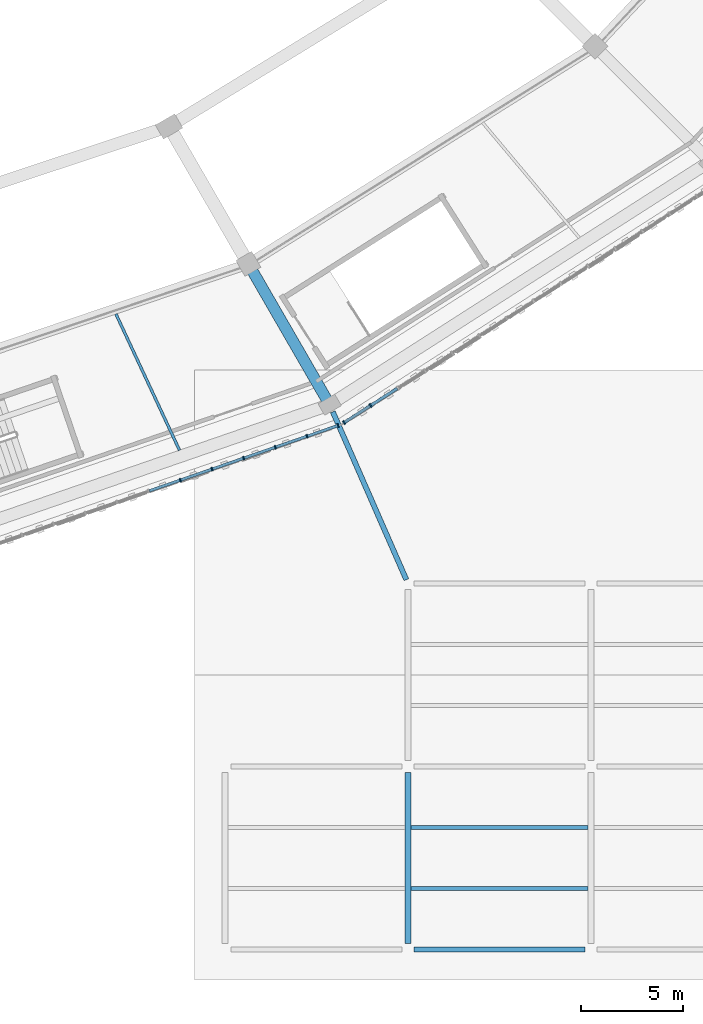
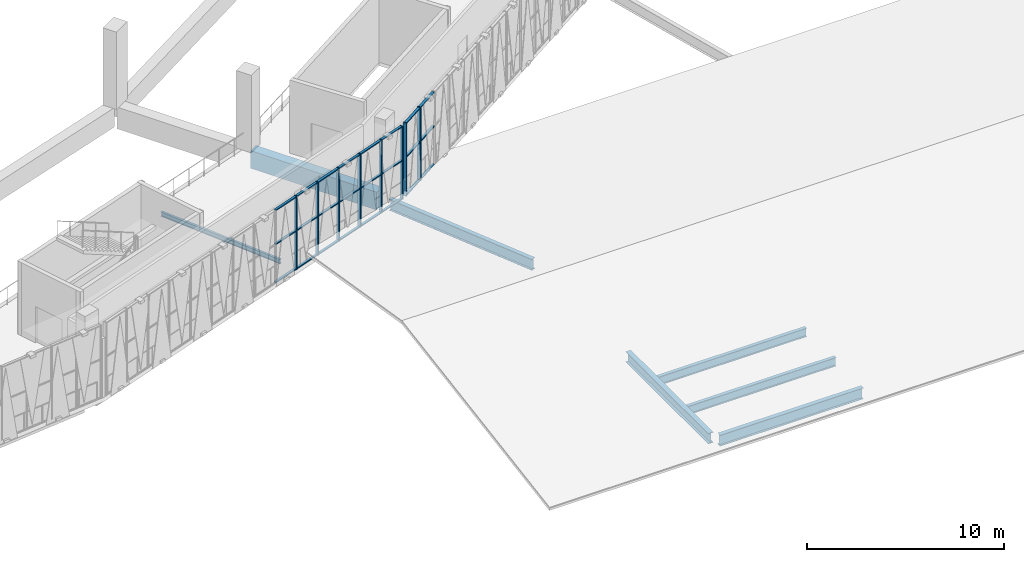
# One storey, part 20 of 108: 32 members, 7 beams, 2 elements without a shape of their own.
"""IFC4 building model written with IfcOpenShell, lengths in metres."""

from ifc_helpers import new_model, si_unit, direction, frame, origin, origin_2d, place, context, subcontext, project, spatial, rectangle, i_section, extrude, material, material_profile, profile_set, type_object, element, aggregate, save


model = new_model("IFC4")

# Units and contexts
model_context = context("Model", 3, precision=1e-05, world=origin(), true_north=direction((0.0, 1.0)))
body_context = subcontext(model_context, "Body", "Model", "MODEL_VIEW")
ifc_project = project(units=[si_unit("LENGTHUNIT", "METRE"), si_unit("AREAUNIT", "SQUARE_METRE"), si_unit("VOLUMEUNIT", "CUBIC_METRE"), si_unit("PLANEANGLEUNIT", "RADIAN"), si_unit("MASSUNIT", "GRAM", prefix="KILO")], contexts=[model_context])

# Site, building, storey
site_placement = place(None, origin())
site = spatial("IfcSite", under=ifc_project, at=site_placement, CompositionType="ELEMENT")
building_placement = place(site_placement, origin())
building = spatial("IfcBuilding", under=site, at=building_placement, Name="Zevraka Park Crest Stadium", CompositionType="ELEMENT")
storey_placement = place(building_placement, frame((0.0, 0.0, 19.800048828125)))
storey = spatial("IfcBuildingStorey", under=building, at=storey_placement, Name="L04", CompositionType="ELEMENT", Elevation=19.800048828125)

# Beams
ifc_material_1 = material(Name="Concrete C40/50", Category="concrete")
ifc_material_profile_1 = material_profile(ifc_material_1, rectangle(XDim=0.550048828125, YDim=1.10009765625, at=origin_2d()), Name="RC 1100x550")
ifc_profile_set_1 = profile_set([ifc_material_profile_1], Name="Concrete C40/50")
beam_type_1 = type_object("IfcBeamType", Name="BG02", PredefinedType="BEAM", material=ifc_profile_set_1)
beam_1_placement = place(storey_placement, frame((153.300048828125, 33.4560546875, -0.56005859375), z_axis=(0.500031859608, -0.86600700885, 0.0), x_axis=(0.86600700885, 0.500031859608, 0.0)))
element("IfcBeam", 1, at=beam_1_placement, inside=storey, type_object=beam_type_1, Name="Radial Girder BG02 L04-CD-20", PredefinedType="BEAM", context=body_context, shape_type="SweptSolid", body=[
    extrude(rectangle(XDim=0.550048828125, YDim=1.10009765625, at=origin_2d()), origin(), (0.0, 0.0, 1.0), 7.3994140625),
])
ifc_material_2 = material(Name="Steel S355", Category="steel")
ifc_material_profile_2 = material_profile(ifc_material_2, i_section(OverallWidth=0.253662109375, OverallDepth=0.68359375, WebThickness=0.012451171875, FlangeThickness=0.01904296875, at=origin_2d()), Name="UKB 686x254x140")
ifc_profile_set_2 = profile_set([ifc_material_profile_2], Name="Steel S355")
beam_type_2 = type_object("IfcBeamType", Name="BG05", PredefinedType="BEAM", material=ifc_profile_set_2)
beam_2_placement = place(storey_placement, frame((161.300048828125, 0.0, -0.60986328125), z_axis=(1.0, 0.0, 0.0), x_axis=(0.0, 1.0, 0.0)))
element("IfcBeam", 2, at=beam_2_placement, inside=storey, type_object=beam_type_2, Name="Wing Girder BG05 L04-1819/A", PredefinedType="BEAM", context=body_context, shape_type="SweptSolid", body=[
    extrude(i_section(OverallWidth=0.253662109375, OverallDepth=0.68359375, WebThickness=0.012451171875, FlangeThickness=0.01904296875, at=origin_2d()), origin(), (0.0, 0.0, 1.0), 8.39990234375),
])
beam_3_placement = place(storey_placement, frame((160.919921875, 18.18310546875, -0.60986328125), z_axis=(-0.401335913167, 0.915930938883, 0.0), x_axis=(-0.915930938883, -0.401335913167, 0.0)))
element("IfcBeam", 3, at=beam_3_placement, inside=storey, type_object=beam_type_2, Name="Wing Link Girder BG05 L04-18/C", PredefinedType="BEAM", context=body_context, shape_type="SweptSolid", body=[
    extrude(i_section(OverallWidth=0.253662109375, OverallDepth=0.68359375, WebThickness=0.012451171875, FlangeThickness=0.01904296875, at=origin_2d()), origin(), (0.0, 0.0, 1.0), 9.0146484375),
])
ifc_material_3 = material(Name="Steel S355", Category="steel")
ifc_material_profile_3 = material_profile(ifc_material_3, i_section(OverallWidth=0.300048828125, OverallDepth=0.64990234375, WebThickness=0.01611328125, FlangeThickness=0.031005859375, at=origin_2d()), Name="HEB 650")
ifc_profile_set_3 = profile_set([ifc_material_profile_3], Name="Steel S355")
beam_type_3 = type_object("IfcBeamType", Name="BG07", PredefinedType="BEAM", material=ifc_profile_set_3)
beam_4_placement = place(storey_placement, frame((161.0, 0.300048828125, -0.593017578125), z_axis=(0.0, 1.0, 0.0), x_axis=(-1.0, 0.0, 0.0)))
element("IfcBeam", 4, at=beam_4_placement, inside=storey, type_object=beam_type_3, Name="Wing Girder BG07 L04-18/AB", PredefinedType="BEAM", context=body_context, shape_type="SweptSolid", body=[
    extrude(i_section(OverallWidth=0.300048828125, OverallDepth=0.64990234375, WebThickness=0.01611328125, FlangeThickness=0.031005859375, at=origin_2d()), origin(), (0.0, 0.0, 1.0), 8.39990234375),
])

# Curtain wall, members
ifc_material_4 = material(Name="Anodised architectural aluminium and laminated safety glass", Category="aluminium")
curtain_wall_type_1 = type_object("IfcCurtainWallType", Name="CW17", PredefinedType="NOTDEFINED", material=ifc_material_4)
curtain_wall_1_placement = place(storey_placement, origin())
curtain_wall_1 = element("IfcCurtainWall", 5, at=curtain_wall_1_placement, inside=storey, type_object=curtain_wall_type_1, Name="Unitised Ring Curtain Wall CW17 L04-19", PredefinedType="NOTDEFINED")
ifc_material_5 = material(Name="Anodised architectural aluminium", Category="aluminium")
ifc_material_profile_4 = material_profile(ifc_material_5, rectangle(XDim=0.179931640625, YDim=0.06494140625, at=origin_2d()), Name="ALU MULLION 180x65")
ifc_profile_set_4 = profile_set([ifc_material_profile_4], Name="Anodised architectural aluminium")
member_type_1 = type_object("IfcMemberType", Name="CM02", PredefinedType="MULLION", material=ifc_profile_set_4)
member_1_placement = place(storey_placement, frame((149.804931640625, 23.082275390625, 0.0), z_axis=(0.0, 0.0, 1.0), x_axis=(-0.327244524523, 0.944939691816, 0.0)))
member_1 = element("IfcMember", 6, at=member_1_placement, type_object=member_type_1, Name="CW17 mullion 10", PredefinedType="MULLION", context=body_context, shape_type="SweptSolid", body=[
    extrude(rectangle(XDim=0.179931640625, YDim=0.06494140625, at=origin_2d()), origin(), (0.0, 0.0, 1.0), 4.5400390625),
])
member_2_placement = place(storey_placement, frame((151.3623046875, 23.62158203125, 0.0), z_axis=(0.0, 0.0, 1.0), x_axis=(-0.327244524523, 0.944939691816, 0.0)))
member_2 = element("IfcMember", 7, at=member_2_placement, type_object=member_type_1, Name="CW17 mullion 11", PredefinedType="MULLION", context=body_context, shape_type="SweptSolid", body=[
    extrude(rectangle(XDim=0.179931640625, YDim=0.06494140625, at=origin_2d()), origin(), (0.0, 0.0, 1.0), 4.5400390625),
])
member_3_placement = place(storey_placement, frame((152.919677734375, 24.160888671875, 0.0), z_axis=(0.0, 0.0, 1.0), x_axis=(-0.327244524523, 0.944939691816, 0.0)))
member_3 = element("IfcMember", 8, at=member_3_placement, type_object=member_type_1, Name="CW17 mullion 12", PredefinedType="MULLION", context=body_context, shape_type="SweptSolid", body=[
    extrude(rectangle(XDim=0.179931640625, YDim=0.06494140625, at=origin_2d()), origin(), (0.0, 0.0, 1.0), 4.5400390625),
])
member_4_placement = place(storey_placement, frame((154.47705078125, 24.7001953125, 0.0), z_axis=(0.0, 0.0, 1.0), x_axis=(-0.327244524523, 0.944939691816, 0.0)))
member_4 = element("IfcMember", 9, at=member_4_placement, type_object=member_type_1, Name="CW17 mullion 13", PredefinedType="MULLION", context=body_context, shape_type="SweptSolid", body=[
    extrude(rectangle(XDim=0.179931640625, YDim=0.06494140625, at=origin_2d()), origin(), (0.0, 0.0, 1.0), 4.5400390625),
])
member_5_placement = place(storey_placement, frame((156.03466796875, 25.23974609375, 0.0), z_axis=(0.0, 0.0, 1.0), x_axis=(-0.327244524523, 0.944939691816, 0.0)))
member_5 = element("IfcMember", 10, at=member_5_placement, type_object=member_type_1, Name="CW17 mullion 14", PredefinedType="MULLION", context=body_context, shape_type="SweptSolid", body=[
    extrude(rectangle(XDim=0.179931640625, YDim=0.06494140625, at=origin_2d()), origin(), (0.0, 0.0, 1.0), 4.5400390625),
])
member_6_placement = place(storey_placement, frame((157.561279296875, 25.768310546875, 0.0), z_axis=(0.0, 0.0, 1.0), x_axis=(-0.327244524523, 0.944939691816, 0.0)))
member_6 = element("IfcMember", 11, at=member_6_placement, type_object=member_type_1, Name="CW17 mullion 15", PredefinedType="MULLION", context=body_context, shape_type="SweptSolid", body=[
    extrude(rectangle(XDim=0.179931640625, YDim=0.06494140625, at=origin_2d()), origin(), (0.0, 0.0, 1.0), 4.5400390625),
])

ifc_material_6 = material(Name="Anodised architectural aluminium and laminated safety glass", Category="aluminium")
curtain_wall_type_2 = type_object("IfcCurtainWallType", Name="CW18", PredefinedType="NOTDEFINED", material=ifc_material_6)
curtain_wall_2_placement = place(storey_placement, origin())
curtain_wall_2 = element("IfcCurtainWall", 12, at=curtain_wall_2_placement, inside=storey, type_object=curtain_wall_type_2, Name="Unitised Ring Curtain Wall CW18 L04-20", PredefinedType="NOTDEFINED")
ifc_material_7 = material(Name="Anodised architectural aluminium", Category="aluminium")
ifc_material_profile_5 = material_profile(ifc_material_7, rectangle(XDim=0.199951171875, YDim=0.070068359375, at=origin_2d()), Name="ALU MULLION 200x70")
ifc_profile_set_5 = profile_set([ifc_material_profile_5], Name="Anodised architectural aluminium")
member_type_2 = type_object("IfcMemberType", Name="CM03", PredefinedType="MULLION", material=ifc_profile_set_5)
member_7_placement = place(storey_placement, frame((157.8544921875, 25.910888671875, 0.0), z_axis=(0.0, 0.0, 1.0), x_axis=(-0.539979944029, 0.841677883781, 0.0)))
member_7 = element("IfcMember", 13, at=member_7_placement, type_object=member_type_2, Name="CW18 mullion 1", PredefinedType="MULLION", context=body_context, shape_type="SweptSolid", body=[
    extrude(rectangle(XDim=0.199951171875, YDim=0.070068359375, at=origin_2d()), origin(), (0.0, 0.0, 1.0), 4.5400390625),
])
member_8_placement = place(storey_placement, frame((159.16162109375, 26.74951171875, 0.0), z_axis=(0.0, 0.0, 1.0), x_axis=(-0.539979944029, 0.841677883781, 0.0)))
member_8 = element("IfcMember", 14, at=member_8_placement, type_object=member_type_2, Name="CW18 mullion 2", PredefinedType="MULLION", context=body_context, shape_type="SweptSolid", body=[
    extrude(rectangle(XDim=0.199951171875, YDim=0.070068359375, at=origin_2d()), origin(), (0.0, 0.0, 1.0), 4.5400390625),
])

# Member
ifc_material_8 = material(Name="Anodised architectural aluminium", Category="aluminium")
ifc_material_profile_6 = material_profile(ifc_material_8, rectangle(XDim=0.139892578125, YDim=0.06494140625, at=origin_2d()), Name="ALU TRANSOM 140x65")
ifc_profile_set_6 = profile_set([ifc_material_profile_6], Name="Anodised architectural aluminium")
member_type_3 = type_object("IfcMemberType", Name="CT02", PredefinedType="USERDEFINED", material=ifc_profile_set_6)
member_9_placement = place(storey_placement, frame((148.278076171875, 22.553466796875, 0.032470703125), z_axis=(0.94494940126, 0.327216486533, 0.0), x_axis=(-0.327216486533, 0.94494940126, 0.0)))
member_9 = element("IfcMember", 15, at=member_9_placement, type_object=member_type_3, Name="CW17 transom 9.1", ObjectType="TRANSOM", PredefinedType="USERDEFINED", context=body_context, shape_type="SweptSolid", body=[
    extrude(rectangle(XDim=0.139892578125, YDim=0.06494140625, at=origin_2d()), origin(), (0.0, 0.0, 1.0), 1.583251953125),
])

member_10_placement = place(storey_placement, frame((148.278076171875, 22.553466796875, 2.39990234375), z_axis=(0.94494940126, 0.327216486533, 0.0), x_axis=(-0.327216486533, 0.94494940126, 0.0)))
member_10 = element("IfcMember", 16, at=member_10_placement, type_object=member_type_3, Name="CW17 transom 9.2", ObjectType="TRANSOM", PredefinedType="USERDEFINED", context=body_context, shape_type="SweptSolid", body=[
    extrude(rectangle(XDim=0.139892578125, YDim=0.06494140625, at=origin_2d()), origin(), (0.0, 0.0, 1.0), 1.583251953125),
])

member_11_placement = place(storey_placement, frame((148.278076171875, 22.553466796875, 4.507568359375), z_axis=(0.94494940126, 0.327216486533, 0.0), x_axis=(-0.327216486533, 0.94494940126, 0.0)))
member_11 = element("IfcMember", 17, at=member_11_placement, type_object=member_type_3, Name="CW17 transom 9.3", ObjectType="TRANSOM", PredefinedType="USERDEFINED", context=body_context, shape_type="SweptSolid", body=[
    extrude(rectangle(XDim=0.139892578125, YDim=0.06494140625, at=origin_2d()), origin(), (0.0, 0.0, 1.0), 1.583251953125),
])

member_12_placement = place(storey_placement, frame((149.83544921875, 23.0927734375, 0.032470703125), z_axis=(0.94494940126, 0.327216486533, 0.0), x_axis=(-0.327216486533, 0.94494940126, 0.0)))
member_12 = element("IfcMember", 18, at=member_12_placement, type_object=member_type_3, Name="CW17 transom 10.1", ObjectType="TRANSOM", PredefinedType="USERDEFINED", context=body_context, shape_type="SweptSolid", body=[
    extrude(rectangle(XDim=0.139892578125, YDim=0.06494140625, at=origin_2d()), origin(), (0.0, 0.0, 1.0), 1.583251953125),
])

member_13_placement = place(storey_placement, frame((149.83544921875, 23.0927734375, 2.39990234375), z_axis=(0.94494940126, 0.327216486533, 0.0), x_axis=(-0.327216486533, 0.94494940126, 0.0)))
member_13 = element("IfcMember", 19, at=member_13_placement, type_object=member_type_3, Name="CW17 transom 10.2", ObjectType="TRANSOM", PredefinedType="USERDEFINED", context=body_context, shape_type="SweptSolid", body=[
    extrude(rectangle(XDim=0.139892578125, YDim=0.06494140625, at=origin_2d()), origin(), (0.0, 0.0, 1.0), 1.583251953125),
])

member_14_placement = place(storey_placement, frame((149.83544921875, 23.0927734375, 4.507568359375), z_axis=(0.94494940126, 0.327216486533, 0.0), x_axis=(-0.327216486533, 0.94494940126, 0.0)))
member_14 = element("IfcMember", 20, at=member_14_placement, type_object=member_type_3, Name="CW17 transom 10.3", ObjectType="TRANSOM", PredefinedType="USERDEFINED", context=body_context, shape_type="SweptSolid", body=[
    extrude(rectangle(XDim=0.139892578125, YDim=0.06494140625, at=origin_2d()), origin(), (0.0, 0.0, 1.0), 1.583251953125),
])

member_15_placement = place(storey_placement, frame((151.39306640625, 23.63232421875, 0.032470703125), z_axis=(0.944932887153, 0.327264172766, 0.0), x_axis=(-0.327264172766, 0.944932887153, 0.0)))
member_15 = element("IfcMember", 21, at=member_15_placement, type_object=member_type_3, Name="CW17 transom 11.1", ObjectType="TRANSOM", PredefinedType="USERDEFINED", context=body_context, shape_type="SweptSolid", body=[
    extrude(rectangle(XDim=0.139892578125, YDim=0.06494140625, at=origin_2d()), origin(), (0.0, 0.0, 1.0), 1.5830078125),
])

member_16_placement = place(storey_placement, frame((151.39306640625, 23.63232421875, 2.39990234375), z_axis=(0.944932887153, 0.327264172766, 0.0), x_axis=(-0.327264172766, 0.944932887153, 0.0)))
member_16 = element("IfcMember", 22, at=member_16_placement, type_object=member_type_3, Name="CW17 transom 11.2", ObjectType="TRANSOM", PredefinedType="USERDEFINED", context=body_context, shape_type="SweptSolid", body=[
    extrude(rectangle(XDim=0.139892578125, YDim=0.06494140625, at=origin_2d()), origin(), (0.0, 0.0, 1.0), 1.5830078125),
])

member_17_placement = place(storey_placement, frame((151.39306640625, 23.63232421875, 4.507568359375), z_axis=(0.944932887153, 0.327264172766, 0.0), x_axis=(-0.327264172766, 0.944932887153, 0.0)))
member_17 = element("IfcMember", 23, at=member_17_placement, type_object=member_type_3, Name="CW17 transom 11.3", ObjectType="TRANSOM", PredefinedType="USERDEFINED", context=body_context, shape_type="SweptSolid", body=[
    extrude(rectangle(XDim=0.139892578125, YDim=0.06494140625, at=origin_2d()), origin(), (0.0, 0.0, 1.0), 1.5830078125),
])

member_18_placement = place(storey_placement, frame((152.950439453125, 24.171630859375, 0.032470703125), z_axis=(0.94494940126, 0.327216486533, 0.0), x_axis=(-0.327216486533, 0.94494940126, 0.0)))
member_18 = element("IfcMember", 24, at=member_18_placement, type_object=member_type_3, Name="CW17 transom 12.1", ObjectType="TRANSOM", PredefinedType="USERDEFINED", context=body_context, shape_type="SweptSolid", body=[
    extrude(rectangle(XDim=0.139892578125, YDim=0.06494140625, at=origin_2d()), origin(), (0.0, 0.0, 1.0), 1.583251953125),
])

member_19_placement = place(storey_placement, frame((152.950439453125, 24.171630859375, 2.39990234375), z_axis=(0.94494940126, 0.327216486533, 0.0), x_axis=(-0.327216486533, 0.94494940126, 0.0)))
member_19 = element("IfcMember", 25, at=member_19_placement, type_object=member_type_3, Name="CW17 transom 12.2", ObjectType="TRANSOM", PredefinedType="USERDEFINED", context=body_context, shape_type="SweptSolid", body=[
    extrude(rectangle(XDim=0.139892578125, YDim=0.06494140625, at=origin_2d()), origin(), (0.0, 0.0, 1.0), 1.583251953125),
])

member_20_placement = place(storey_placement, frame((152.950439453125, 24.171630859375, 4.507568359375), z_axis=(0.94494940126, 0.327216486533, 0.0), x_axis=(-0.327216486533, 0.94494940126, 0.0)))
member_20 = element("IfcMember", 26, at=member_20_placement, type_object=member_type_3, Name="CW17 transom 12.3", ObjectType="TRANSOM", PredefinedType="USERDEFINED", context=body_context, shape_type="SweptSolid", body=[
    extrude(rectangle(XDim=0.139892578125, YDim=0.06494140625, at=origin_2d()), origin(), (0.0, 0.0, 1.0), 1.583251953125),
])

member_21_placement = place(storey_placement, frame((154.5078125, 24.7109375, 0.032470703125), z_axis=(0.94494940126, 0.327216486533, 0.0), x_axis=(-0.327216486533, 0.94494940126, 0.0)))
member_21 = element("IfcMember", 27, at=member_21_placement, type_object=member_type_3, Name="CW17 transom 13.1", ObjectType="TRANSOM", PredefinedType="USERDEFINED", context=body_context, shape_type="SweptSolid", body=[
    extrude(rectangle(XDim=0.139892578125, YDim=0.06494140625, at=origin_2d()), origin(), (0.0, 0.0, 1.0), 1.583251953125),
])

member_22_placement = place(storey_placement, frame((154.5078125, 24.7109375, 2.39990234375), z_axis=(0.94494940126, 0.327216486533, 0.0), x_axis=(-0.327216486533, 0.94494940126, 0.0)))
member_22 = element("IfcMember", 28, at=member_22_placement, type_object=member_type_3, Name="CW17 transom 13.2", ObjectType="TRANSOM", PredefinedType="USERDEFINED", context=body_context, shape_type="SweptSolid", body=[
    extrude(rectangle(XDim=0.139892578125, YDim=0.06494140625, at=origin_2d()), origin(), (0.0, 0.0, 1.0), 1.583251953125),
])

member_23_placement = place(storey_placement, frame((154.5078125, 24.7109375, 4.507568359375), z_axis=(0.94494940126, 0.327216486533, 0.0), x_axis=(-0.327216486533, 0.94494940126, 0.0)))
member_23 = element("IfcMember", 29, at=member_23_placement, type_object=member_type_3, Name="CW17 transom 13.3", ObjectType="TRANSOM", PredefinedType="USERDEFINED", context=body_context, shape_type="SweptSolid", body=[
    extrude(rectangle(XDim=0.139892578125, YDim=0.06494140625, at=origin_2d()), origin(), (0.0, 0.0, 1.0), 1.583251953125),
])

member_24_placement = place(storey_placement, frame((156.065185546875, 25.250244140625, 0.032470703125), z_axis=(0.944918670821, 0.3273052177, 0.0), x_axis=(-0.3273052177, 0.944918670821, 0.0)))
member_24 = element("IfcMember", 30, at=member_24_placement, type_object=member_type_3, Name="CW17 transom 14.1", ObjectType="TRANSOM", PredefinedType="USERDEFINED", context=body_context, shape_type="SweptSolid", body=[
    extrude(rectangle(XDim=0.139892578125, YDim=0.06494140625, at=origin_2d()), origin(), (0.0, 0.0, 1.0), 1.55078125),
])

member_25_placement = place(storey_placement, frame((156.065185546875, 25.250244140625, 2.39990234375), z_axis=(0.944918670821, 0.3273052177, 0.0), x_axis=(-0.3273052177, 0.944918670821, 0.0)))
member_25 = element("IfcMember", 31, at=member_25_placement, type_object=member_type_3, Name="CW17 transom 14.2", ObjectType="TRANSOM", PredefinedType="USERDEFINED", context=body_context, shape_type="SweptSolid", body=[
    extrude(rectangle(XDim=0.139892578125, YDim=0.06494140625, at=origin_2d()), origin(), (0.0, 0.0, 1.0), 1.55078125),
])

member_26_placement = place(storey_placement, frame((156.065185546875, 25.250244140625, 4.507568359375), z_axis=(0.944918670821, 0.3273052177, 0.0), x_axis=(-0.3273052177, 0.944918670821, 0.0)))
member_26 = element("IfcMember", 32, at=member_26_placement, type_object=member_type_3, Name="CW17 transom 14.3", ObjectType="TRANSOM", PredefinedType="USERDEFINED", context=body_context, shape_type="SweptSolid", body=[
    extrude(rectangle(XDim=0.139892578125, YDim=0.06494140625, at=origin_2d()), origin(), (0.0, 0.0, 1.0), 1.55078125),
])

aggregate(curtain_wall_1, [member_1, member_2, member_3, member_4, member_5, member_6, member_9, member_10, member_11, member_12, member_13, member_14, member_15, member_16, member_17, member_18, member_19, member_20, member_21, member_22, member_23, member_24, member_25, member_26])

ifc_material_9 = material(Name="Anodised architectural aluminium", Category="aluminium")
ifc_material_profile_7 = material_profile(ifc_material_9, rectangle(XDim=0.14990234375, YDim=0.070068359375, at=origin_2d()), Name="ALU TRANSOM 150x70")
ifc_profile_set_7 = profile_set([ifc_material_profile_7], Name="Anodised architectural aluminium")
member_type_4 = type_object("IfcMemberType", Name="CT03", PredefinedType="USERDEFINED", material=ifc_profile_set_7)
member_27_placement = place(storey_placement, frame((157.884033203125, 25.9296875, 0.034912109375), z_axis=(0.84162208892, 0.540066902747, 0.0), x_axis=(-0.540066902747, 0.84162208892, 0.0)))
member_27 = element("IfcMember", 33, at=member_27_placement, type_object=member_type_4, Name="CW18 transom 1.1", ObjectType="TRANSOM", PredefinedType="USERDEFINED", context=body_context, shape_type="SweptSolid", body=[
    extrude(rectangle(XDim=0.14990234375, YDim=0.070068359375, at=origin_2d()), origin(), (0.0, 0.0, 1.0), 1.483154296875),
])

member_28_placement = place(storey_placement, frame((157.884033203125, 25.9296875, 2.39990234375), z_axis=(0.84162208892, 0.540066902747, 0.0), x_axis=(-0.540066902747, 0.84162208892, 0.0)))
member_28 = element("IfcMember", 34, at=member_28_placement, type_object=member_type_4, Name="CW18 transom 1.2", ObjectType="TRANSOM", PredefinedType="USERDEFINED", context=body_context, shape_type="SweptSolid", body=[
    extrude(rectangle(XDim=0.14990234375, YDim=0.070068359375, at=origin_2d()), origin(), (0.0, 0.0, 1.0), 1.483154296875),
])

member_29_placement = place(storey_placement, frame((157.884033203125, 25.9296875, 4.5048828125), z_axis=(0.84162208892, 0.540066902747, 0.0), x_axis=(-0.540066902747, 0.84162208892, 0.0)))
member_29 = element("IfcMember", 35, at=member_29_placement, type_object=member_type_4, Name="CW18 transom 1.3", ObjectType="TRANSOM", PredefinedType="USERDEFINED", context=body_context, shape_type="SweptSolid", body=[
    extrude(rectangle(XDim=0.14990234375, YDim=0.070068359375, at=origin_2d()), origin(), (0.0, 0.0, 1.0), 1.483154296875),
])

member_30_placement = place(storey_placement, frame((159.191162109375, 26.7685546875, 0.034912109375), z_axis=(0.841742345783, 0.539879452578, 0.0), x_axis=(-0.539879452578, 0.841742345783, 0.0)))
member_30 = element("IfcMember", 36, at=member_30_placement, type_object=member_type_4, Name="CW18 transom 2.1", ObjectType="TRANSOM", PredefinedType="USERDEFINED", context=body_context, shape_type="SweptSolid", body=[
    extrude(rectangle(XDim=0.14990234375, YDim=0.070068359375, at=origin_2d()), origin(), (0.0, 0.0, 1.0), 1.51806640625),
])

member_31_placement = place(storey_placement, frame((159.191162109375, 26.7685546875, 2.39990234375), z_axis=(0.841742345783, 0.539879452578, 0.0), x_axis=(-0.539879452578, 0.841742345783, 0.0)))
member_31 = element("IfcMember", 37, at=member_31_placement, type_object=member_type_4, Name="CW18 transom 2.2", ObjectType="TRANSOM", PredefinedType="USERDEFINED", context=body_context, shape_type="SweptSolid", body=[
    extrude(rectangle(XDim=0.14990234375, YDim=0.070068359375, at=origin_2d()), origin(), (0.0, 0.0, 1.0), 1.51806640625),
])

member_32_placement = place(storey_placement, frame((159.191162109375, 26.7685546875, 4.5048828125), z_axis=(0.841742345783, 0.539879452578, 0.0), x_axis=(-0.539879452578, 0.841742345783, 0.0)))
member_32 = element("IfcMember", 38, at=member_32_placement, type_object=member_type_4, Name="CW18 transom 2.3", ObjectType="TRANSOM", PredefinedType="USERDEFINED", context=body_context, shape_type="SweptSolid", body=[
    extrude(rectangle(XDim=0.14990234375, YDim=0.070068359375, at=origin_2d()), origin(), (0.0, 0.0, 1.0), 1.51806640625),
])

aggregate(curtain_wall_2, [member_7, member_8, member_27, member_28, member_29, member_30, member_31, member_32])

# Beams
ifc_material_10 = material(Name="Steel S355", Category="steel")
ifc_material_profile_8 = material_profile(ifc_material_10, i_section(OverallWidth=0.209228515625, OverallDepth=0.533203125, WebThickness=0.010009765625, FlangeThickness=0.015625, at=origin_2d()), Name="UKB 533x210x92")
ifc_profile_set_8 = profile_set([ifc_material_profile_8], Name="Steel S355")
beam_type_4 = type_object("IfcBeamType", Name="SJ05", PredefinedType="JOIST", material=ifc_profile_set_8)
for number, where, z_axis, x_axis, name in (
    (39, (161.14501953125, 3.0, -0.53662109375), (1.0, 0.0, 0.0), (0.0, 1.0, 0.0), "Wing Joist SJ05 L04-18/A-1"),
    (40, (161.14501953125, 6.0, -0.53662109375), (1.0, 0.0, 0.0), (0.0, 1.0, 0.0), "Wing Joist SJ05 L04-18/A-2"),
):
    element("IfcBeam", number, at=place(storey_placement, frame(where, z_axis=z_axis, x_axis=x_axis)), inside=storey, type_object=beam_type_4, Name=name, PredefinedType="JOIST", context=body_context, shape_type="SweptSolid", body=[
        extrude(i_section(OverallWidth=0.209228515625, OverallDepth=0.533203125, WebThickness=0.010009765625, FlangeThickness=0.015625, at=origin_2d()), origin(), (0.0, 0.0, 1.0), 8.7099609375),
    ])
ifc_material_11 = material(Name="Steel S355", Category="steel")
ifc_material_profile_9 = material_profile(ifc_material_11, i_section(OverallWidth=0.135009765625, OverallDepth=0.27001953125, WebThickness=0.006591796875, FlangeThickness=0.01025390625, at=origin_2d()), Name="IPE 270")
ifc_profile_set_9 = profile_set([ifc_material_profile_9], Name="Steel S355")
beam_type_5 = type_object("IfcBeamType", Name="SJ07", PredefinedType="JOIST", material=ifc_profile_set_9)
beam_5_placement = place(storey_placement, frame((146.636962890625, 31.2529296875, -0.403076171875), z_axis=(0.422910754133, -0.906171338125, 0.0), x_axis=(0.906171338125, 0.422910754133, 0.0)))
element("IfcBeam", 41, at=beam_5_placement, inside=storey, type_object=beam_type_5, Name="Floor Joist SJ07 L04-CD-19-2", PredefinedType="JOIST", context=body_context, shape_type="SweptSolid", body=[
    extrude(i_section(OverallWidth=0.135009765625, OverallDepth=0.27001953125, WebThickness=0.006591796875, FlangeThickness=0.01025390625, at=origin_2d()), origin(), (0.0, 0.0, 1.0), 7.399169921875),
])

save(model, "model.ifc")
